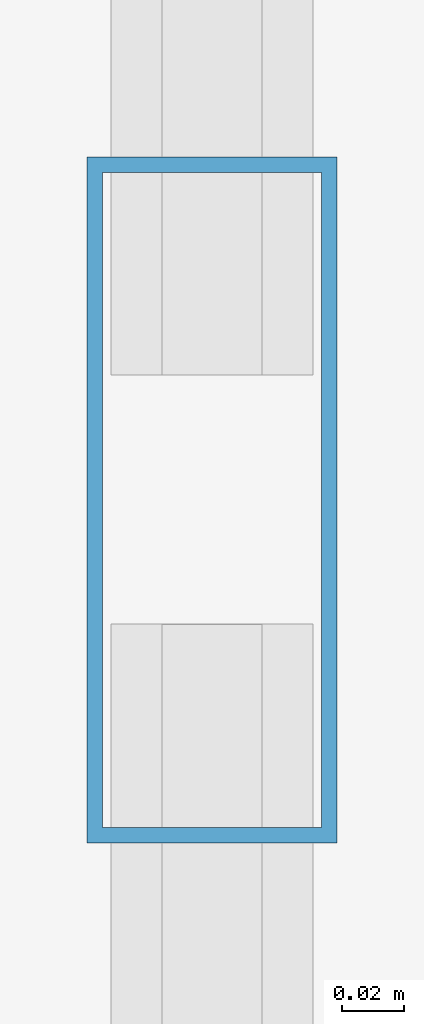
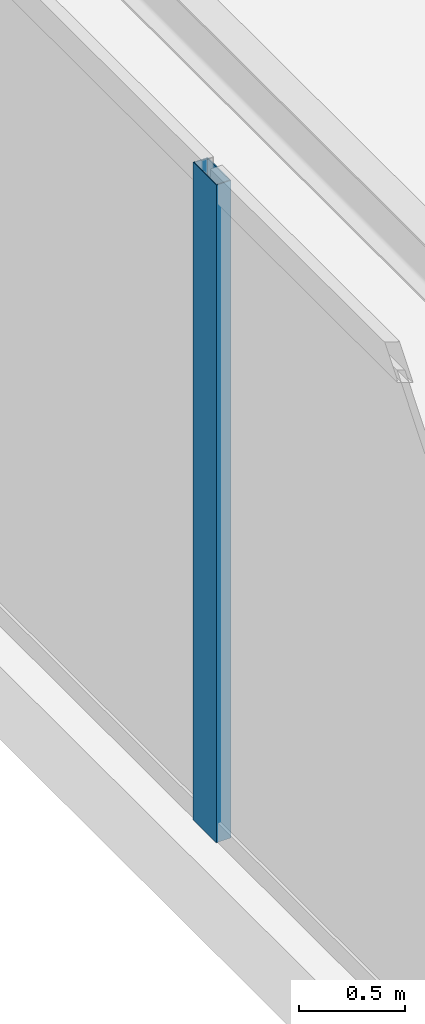
# One storey, part 10 of 27: 1 member, 1 element without a shape of its own.
"""IFC4 building model written with IfcOpenShell, lengths in metres."""

from ifc_helpers import new_model, si_unit, direction, frame, origin, origin_2d, place, context, subcontext, project, spatial, hollow_rectangle, extrude, material, layer, layer_set, material_profile, profile_set, type_object, element, aggregate, save


model = new_model("IFC4")

# Units and contexts
model_context = context("Model", 3, precision=1e-05, world=origin(), true_north=direction((0.0, 1.0)))
body_context = subcontext(model_context, "Body", "Model", "MODEL_VIEW")
ifc_project = project(units=[si_unit("LENGTHUNIT", "METRE"), si_unit("AREAUNIT", "SQUARE_METRE"), si_unit("VOLUMEUNIT", "CUBIC_METRE"), si_unit("PLANEANGLEUNIT", "RADIAN"), si_unit("MASSUNIT", "GRAM", prefix="KILO")], contexts=[model_context])

# Site, building, storey
site_placement = place(None, origin())
site = spatial("IfcSite", under=ifc_project, at=site_placement, CompositionType="ELEMENT")
building_placement = place(site_placement, origin())
building = spatial("IfcBuilding", under=site, at=building_placement, Name="Qobustan Lattice House", CompositionType="ELEMENT")
storey_placement = place(building_placement, frame((0.0, 0.0, 266.0)))
storey = spatial("IfcBuildingStorey", under=building, at=storey_placement, Name="L75", CompositionType="ELEMENT", Elevation=266.0)

# Curtain wall, member
ifc_material_1 = material(Name="Anodised aluminium and low-E glazing", Category="aluminium")
ifc_layer = layer(ifc_material_1, 0.219970703125)
ifc_layer_set = layer_set([ifc_layer], Name="Anodised aluminium and low-E glazing")
curtain_wall_type = type_object("IfcCurtainWallType", Name="CW-OBS-01", PredefinedType="USERDEFINED", material=ifc_layer_set)
curtain_wall_placement = place(storey_placement, origin())
curtain_wall = element("IfcCurtainWall", 1, at=curtain_wall_placement, inside=storey, type_object=curtain_wall_type, Name="L75 W panoramic observation curtain wall", ObjectType="CURTAIN WALL", PredefinedType="USERDEFINED")
ifc_material_2 = material(Name="Anodised aluminium EN AW-6063 T6", Category="aluminium")
ifc_material_profile = material_profile(ifc_material_2, hollow_rectangle(XDim=0.080078125, YDim=0.219970703125, WallThickness=0.0048828125, at=origin_2d()), Name="CWM-220x80")
ifc_profile_set = profile_set([ifc_material_profile], Name="Anodised aluminium EN AW-6063 T6")
member_type = type_object("IfcMemberType", Name="CWM-MAIN-220", PredefinedType="MULLION", material=ifc_profile_set)
member_placement = place(storey_placement, frame((-24.0, -1.60009765625, 0.0), z_axis=(0.0, 0.0, 1.0), x_axis=(-1.0, 0.0, 0.0)))
member = element("IfcMember", 2, at=member_placement, type_object=member_type, Name="CW-OB mullion 4", PredefinedType="MULLION", context=body_context, shape_type="SweptSolid", body=[
    extrude(hollow_rectangle(XDim=0.080078125, YDim=0.219970703125, WallThickness=0.0048828125, at=origin_2d()), origin(), (0.0, 0.0, 1.0), 3.800048828125),
])
aggregate(curtain_wall, [member])

save(model, "model.ifc")
